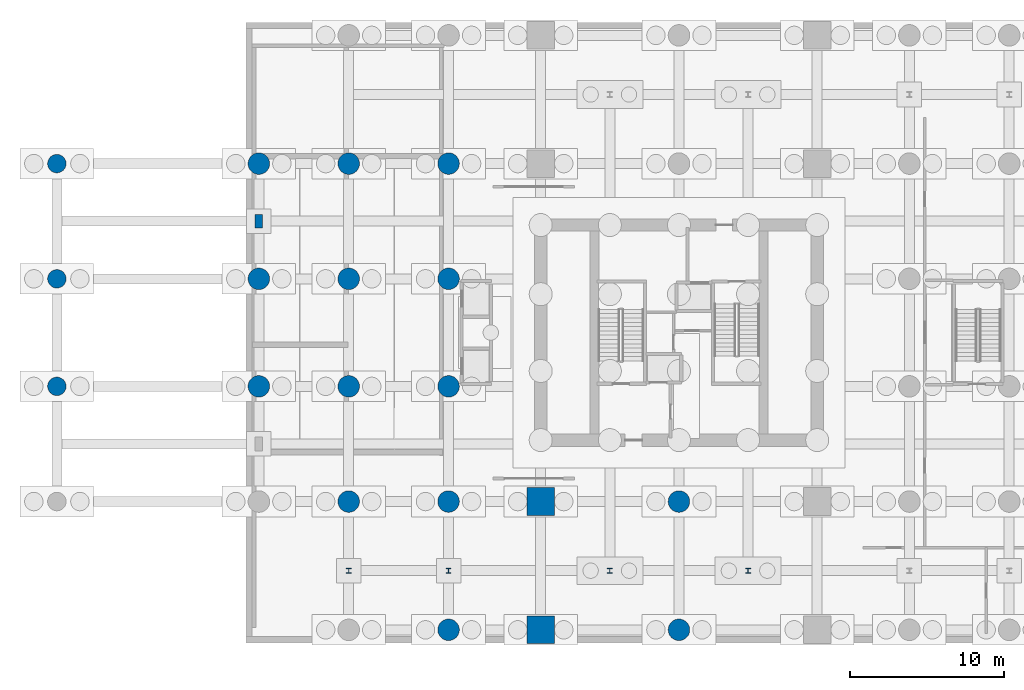
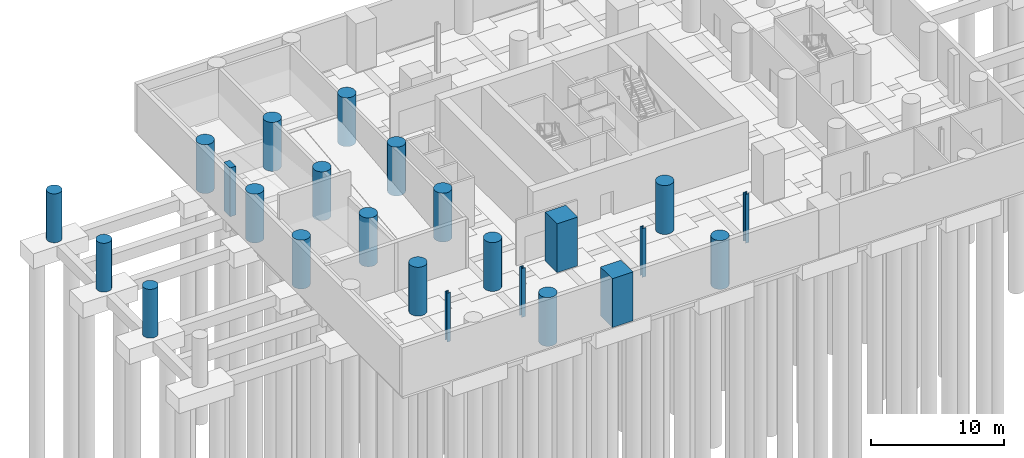
# One storey, part 5 of 12: 24 columns.
"""IFC4 building model written with IfcOpenShell, lengths in metres."""

from ifc_helpers import new_model, si_unit, direction, frame, origin, origin_2d, place, context, subcontext, project, spatial, rectangle, circle, i_section, extrude, material, material_profile, profile_set, type_object, element, save


model = new_model("IFC4")

# Units and contexts
model_context = context("Model", 3, precision=1e-05, world=origin(), true_north=direction((0.0, 1.0)))
body_context = subcontext(model_context, "Body", "Model", "MODEL_VIEW")
ifc_project = project(units=[si_unit("LENGTHUNIT", "METRE"), si_unit("AREAUNIT", "SQUARE_METRE"), si_unit("VOLUMEUNIT", "CUBIC_METRE"), si_unit("PLANEANGLEUNIT", "RADIAN"), si_unit("MASSUNIT", "GRAM", prefix="KILO")], contexts=[model_context])

# Site, building, storey
site_placement = place(None, origin())
site = spatial("IfcSite", under=ifc_project, at=site_placement, CompositionType="ELEMENT")
building_placement = place(site_placement, origin())
building = spatial("IfcBuilding", under=site, at=building_placement, Name="Veldorim Arch Residences", CompositionType="ELEMENT")
storey_placement = place(building_placement, frame((0.0, 0.0, -9.0)))
storey = spatial("IfcBuildingStorey", under=building, at=storey_placement, Name="B2", CompositionType="ELEMENT", Elevation=-9.0)

# Columns
ifc_material_1 = material(Name="Concrete C60/75", Category="concrete")
ifc_material_profile_1 = material_profile(ifc_material_1, circle(Radius=0.60009765625, at=origin_2d()), Name="RC_CIRC_1200")
ifc_profile_set_1 = profile_set([ifc_material_profile_1], Name="Concrete C60/75")
column_type_1 = type_object("IfcColumnType", Name="Structural Column RC_CIRC_1200", PredefinedType="COLUMN", material=ifc_profile_set_1)
for number, where, z_axis, x_axis, name in (
    (1, (-8.5, 20.5, 0.0), (0.0, 0.0, 1.0), (1.0, 0.0, 0.0), "B2 porte-cochere canopy column 02"),
    (2, (-8.5, 27.5, 0.0), (0.0, 0.0, 1.0), (1.0, 0.0, 0.0), "B2 porte-cochere canopy column 03"),
    (3, (-8.5, 35.0, 0.0), (0.0, 0.0, 1.0), (1.0, 0.0, 0.0), "B2 porte-cochere canopy column 04"),
):
    element("IfcColumn", number, at=place(storey_placement, frame(where, z_axis=z_axis, x_axis=x_axis)), inside=storey, type_object=column_type_1, Name=name, PredefinedType="COLUMN", context=body_context, shape_type="SweptSolid", body=[
        extrude(circle(Radius=0.60009765625, at=origin_2d()), origin(), (0.0, 0.0, 1.0), 4.5),
    ])
ifc_material_2 = material(Name="Concrete C60/75", Category="concrete")
ifc_material_profile_2 = material_profile(ifc_material_2, circle(Radius=0.699951171875, at=origin_2d()), Name="RC_CIRC_1400")
ifc_profile_set_2 = profile_set([ifc_material_profile_2], Name="Concrete C60/75")
column_type_2 = type_object("IfcColumnType", Name="Structural Column RC_CIRC_1400", PredefinedType="COLUMN", material=ifc_profile_set_2)
for number, where, z_axis, x_axis, name in (
    (4, (4.64990234375, 20.5, 0.0), (0.0, 0.0, 1.0), (1.0, 0.0, 0.0), "B2 podium column (4.65, 20.50)"),
    (5, (4.64990234375, 27.5, 0.0), (0.0, 0.0, 1.0), (1.0, 0.0, 0.0), "B2 podium column (4.65, 27.50)"),
    (6, (4.64990234375, 35.0, 0.0), (0.0, 0.0, 1.0), (1.0, 0.0, 0.0), "B2 podium column (4.65, 35.00)"),
    (7, (10.5, 13.0, 0.0), (0.0, 0.0, 1.0), (1.0, 0.0, 0.0), "B2 podium column (10.50, 13.00)"),
    (8, (10.5, 20.5, 0.0), (0.0, 0.0, 1.0), (1.0, 0.0, 0.0), "B2 podium column (10.50, 20.50)"),
    (9, (10.5, 27.5, 0.0), (0.0, 0.0, 1.0), (1.0, 0.0, 0.0), "B2 podium column (10.50, 27.50)"),
    (10, (10.5, 35.0, 0.0), (0.0, 0.0, 1.0), (1.0, 0.0, 0.0), "B2 podium column (10.50, 35.00)"),
    (11, (17.0, 4.64990234375, 0.0), (0.0, 0.0, 1.0), (1.0, 0.0, 0.0), "B2 podium column (17.00, 4.65)"),
    (12, (17.0, 13.0, 0.0), (0.0, 0.0, 1.0), (1.0, 0.0, 0.0), "B2 podium column (17.00, 13.00)"),
    (13, (17.0, 20.5, 0.0), (0.0, 0.0, 1.0), (1.0, 0.0, 0.0), "B2 podium column (17.00, 20.50)"),
    (14, (17.0, 27.5, 0.0), (0.0, 0.0, 1.0), (1.0, 0.0, 0.0), "B2 podium column (17.00, 27.50)"),
    (15, (17.0, 35.0, 0.0), (0.0, 0.0, 1.0), (1.0, 0.0, 0.0), "B2 podium column (17.00, 35.00)"),
    (16, (32.0, 4.64990234375, 0.0), (0.0, 0.0, 1.0), (1.0, 0.0, 0.0), "B2 arch mega-pier (32.00, 4.65)"),
    (17, (32.0, 13.0, 0.0), (0.0, 0.0, 1.0), (1.0, 0.0, 0.0), "B2 arch mega-pier (32.00, 13.00)"),
):
    element("IfcColumn", number, at=place(storey_placement, frame(where, z_axis=z_axis, x_axis=x_axis)), inside=storey, type_object=column_type_2, Name=name, PredefinedType="COLUMN", context=body_context, shape_type="SweptSolid", body=[
        extrude(circle(Radius=0.699951171875, at=origin_2d()), origin(), (0.0, 0.0, 1.0), 4.5),
    ])
ifc_material_3 = material(Name="Concrete C60/75", Category="concrete")
ifc_material_profile_3 = material_profile(ifc_material_3, rectangle(XDim=1.800048828125, YDim=1.800048828125, at=origin_2d()), Name="RC_RECT_1800x1800")
ifc_profile_set_3 = profile_set([ifc_material_profile_3], Name="Concrete C60/75")
column_type_3 = type_object("IfcColumnType", Name="Structural Column RC_RECT_1800x1800", PredefinedType="COLUMN", material=ifc_profile_set_3)
for number, where, z_axis, x_axis, name in (
    (18, (23.0, 4.64990234375, 0.0), (0.0, 0.0, 1.0), (1.0, 0.0, 0.0), "B2 arch mega-pier (23.00, 4.65)"),
    (19, (23.0, 13.0, 0.0), (0.0, 0.0, 1.0), (1.0, 0.0, 0.0), "B2 arch mega-pier (23.00, 13.00)"),
):
    element("IfcColumn", number, at=place(storey_placement, frame(where, z_axis=z_axis, x_axis=x_axis)), inside=storey, type_object=column_type_3, Name=name, PredefinedType="COLUMN", context=body_context, shape_type="SweptSolid", body=[
        extrude(rectangle(XDim=1.800048828125, YDim=1.800048828125, at=origin_2d()), origin(), (0.0, 0.0, 1.0), 4.5),
    ])
ifc_material_4 = material(Name="Steel S355", Category="steel")
ifc_material_profile_4 = material_profile(ifc_material_4, i_section(OverallWidth=0.314453125, OverallDepth=0.33984375, WebThickness=0.01904296875, FlangeThickness=0.031494140625, at=origin_2d()), Name="UC305x305x198")
ifc_profile_set_4 = profile_set([ifc_material_profile_4], Name="Steel S355")
column_type_4 = type_object("IfcColumnType", Name="Structural Column UC305x305x198", PredefinedType="COLUMN", material=ifc_profile_set_4)
for number, where, z_axis, x_axis, name in (
    (20, (27.5, 8.5, 0.0), (0.0, 0.0, 1.0), (1.0, 0.0, 0.0), "B2 basement secondary column 01"),
    (21, (36.5, 8.5, 0.0), (0.0, 0.0, 1.0), (1.0, 0.0, 0.0), "B2 basement secondary column 02"),
    (22, (10.5, 8.5, 0.0), (0.0, 0.0, 1.0), (1.0, 0.0, 0.0), "B2 basement secondary column 05"),
    (23, (17.0, 8.5, 0.0), (0.0, 0.0, 1.0), (1.0, 0.0, 0.0), "B2 basement secondary column 06"),
):
    element("IfcColumn", number, at=place(storey_placement, frame(where, z_axis=z_axis, x_axis=x_axis)), inside=storey, type_object=column_type_4, Name=name, PredefinedType="COLUMN", context=body_context, shape_type="SweptSolid", body=[
        extrude(i_section(OverallWidth=0.314453125, OverallDepth=0.33984375, WebThickness=0.01904296875, FlangeThickness=0.031494140625, at=origin_2d()), origin(), (0.0, 0.0, 1.0), 4.5),
    ])
ifc_material_5 = material(Name="Concrete C60/75", Category="concrete")
ifc_material_profile_5 = material_profile(ifc_material_5, rectangle(XDim=0.5, YDim=0.89990234375, at=origin_2d()), Name="RC_RECT_500x900")
ifc_profile_set_5 = profile_set([ifc_material_profile_5], Name="Concrete C60/75")
column_type_5 = type_object("IfcColumnType", Name="Structural Pilaster RC_RECT_500x900", PredefinedType="PILASTER", material=ifc_profile_set_5)
column_placement = place(storey_placement, frame((4.64990234375, 31.25, 0.0), z_axis=(0.0, 0.0, 1.0), x_axis=(1.0, 0.0, 0.0)))
element("IfcColumn", 24, at=column_placement, inside=storey, type_object=column_type_5, Name="B2 facade structural pilaster (4.65, 31.25)", PredefinedType="PILASTER", context=body_context, shape_type="SweptSolid", body=[
    extrude(rectangle(XDim=0.5, YDim=0.89990234375, at=origin_2d()), origin(), (0.0, 0.0, 1.0), 4.5),
])

save(model, "model.ifc")
